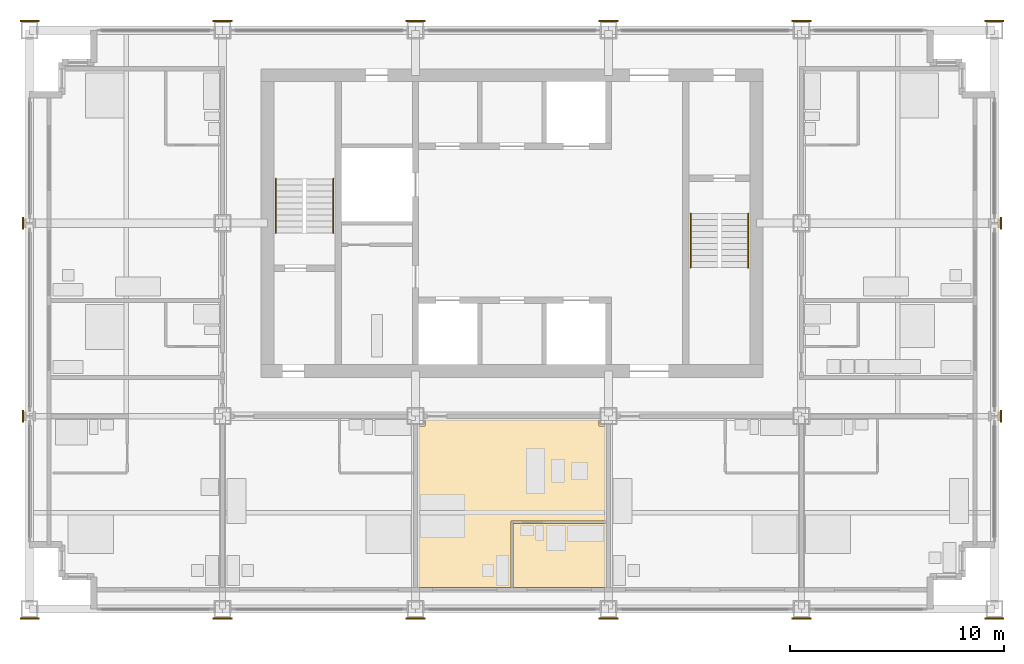
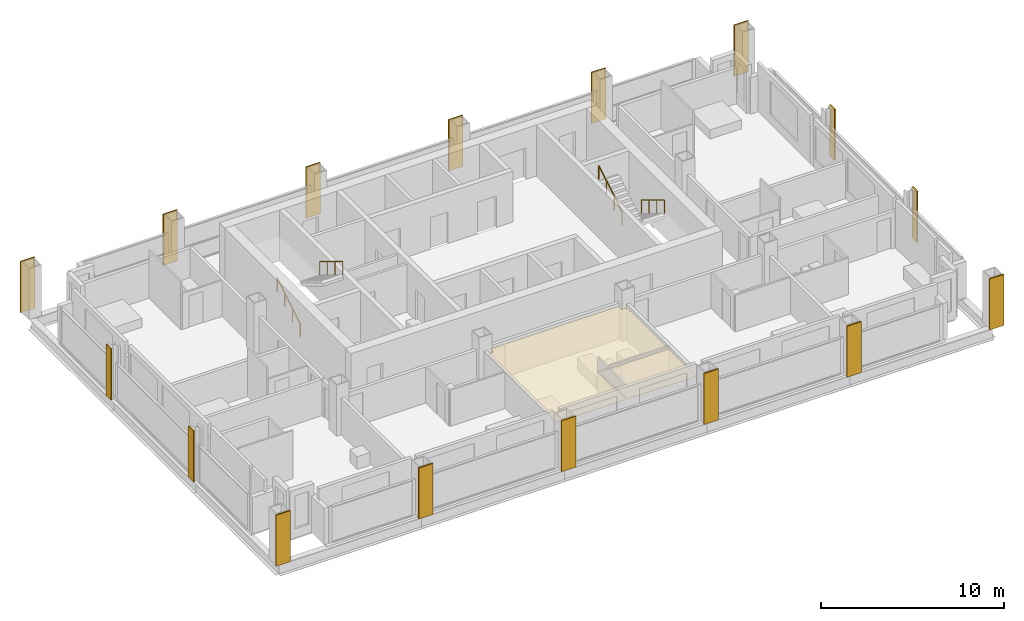
# One storey, part 11 of 13: 18 coverings, 4 railings.
"""IFC4 building model written with IfcOpenShell, lengths in metres."""

import ifcopenshell
import ifcopenshell.guid

model = None  # the IFC model being written
_history = None  # IfcOwnerHistory: only IFC2X3 demands one
_inside = {}  # id of a spatial element -> (the spatial element, [elements in it])
_under = {}  # id of a project, library or spatial element -> (it, [spatial elements below it])
_declared = {}  # id of a project -> (the project, [libraries it declares])
_typed = {}  # id of a type object -> (the type object, [elements of that type])
_made_of = {}  # id of a material, layer set ... -> (it, [elements and type objects made of it])


def new_model(schema):
    """Start an empty IFC model of exactly this schema.

    Asked for "IFC4X3", IfcOpenShell would pick the latest addendum, in which some entities
    have other attributes; the version numbers below select the first issue.
    IFC2X3 requires an IfcOwnerHistory on every rooted entity: one is made here for all.
    """
    global model, _history
    if schema == "IFC4X3":
        model = ifcopenshell.file(schema_version=(4, 3, 0, 0))
    else:
        model = ifcopenshell.file(schema=schema)
    _inside.clear()
    _under.clear()
    _declared.clear()
    _typed.clear()
    _made_of.clear()
    _history = None
    if model.schema == "IFC2X3":
        org = make("IfcOrganization", Name="unknown")
        user = make(
            "IfcPersonAndOrganization",
            ThePerson=make("IfcPerson", FamilyName="unknown"),
            TheOrganization=org,
        )
        app = make(
            "IfcApplication",
            ApplicationDeveloper=org,
            Version="unknown",
            ApplicationFullName="unknown",
            ApplicationIdentifier="unknown",
        )
        _history = make(
            "IfcOwnerHistory",
            OwningUser=user,
            OwningApplication=app,
            ChangeAction="ADDED",
            CreationDate=0,
        )
    return model


def make(cls, **values):
    """One entity of the class cls with the attributes given. An attribute that is None is left unset."""
    return model.create_entity(
        cls, **{name: value for name, value in values.items() if value is not None}
    )


def rooted(cls, **values):
    """An entity with a GlobalId (a new one), such as an element, a storey or a relation."""
    return make(cls, GlobalId=ifcopenshell.guid.new(), OwnerHistory=_history, **values)


def si_unit(unit_type, name, prefix=None):
    """IfcSIUnit, for example si_unit("LENGTHUNIT", "METRE", prefix="MILLI")."""
    return make("IfcSIUnit", UnitType=unit_type, Prefix=prefix, Name=name)


def assignment(units):
    """IfcUnitAssignment: the units of a project."""
    return None if units is None else make("IfcUnitAssignment", Units=units)


def point(xyz):
    """IfcCartesianPoint."""
    return None if xyz is None else make("IfcCartesianPoint", Coordinates=xyz)


def direction(xyz):
    """IfcDirection."""
    return None if xyz is None else make("IfcDirection", DirectionRatios=xyz)


def frame(location, z_axis=None, x_axis=None):
    """IfcAxis2Placement3D, a coordinate frame: its origin and axes. An axis left out is left unset."""
    return make(
        "IfcAxis2Placement3D",
        Location=point(location),
        Axis=direction(z_axis),
        RefDirection=direction(x_axis),
    )


def frame_2d(location, x_axis=None):
    """IfcAxis2Placement2D, a coordinate frame in the plane: its origin and x axis."""
    return make(
        "IfcAxis2Placement2D", Location=point(location), RefDirection=direction(x_axis)
    )


def origin():
    """The frame at (0, 0, 0) with its axes left unset."""
    return frame((0.0, 0.0, 0.0))


def origin_2d():
    """The frame at (0, 0) in the plane with its x axis left unset."""
    return frame_2d((0.0, 0.0))


def place(relative_to, where):
    """IfcLocalPlacement: puts the frame where relative to a parent placement (None: the world)."""
    return make(
        "IfcLocalPlacement", PlacementRelTo=relative_to, RelativePlacement=where
    )


def context(
    kind, dimensions, precision=None, world=None, true_north=None, identifier=None
):
    """IfcGeometricRepresentationContext, for example the 3D "Model" context."""
    return make(
        "IfcGeometricRepresentationContext",
        ContextIdentifier=identifier,
        ContextType=kind,
        CoordinateSpaceDimension=dimensions,
        Precision=precision,
        WorldCoordinateSystem=world,
        TrueNorth=true_north,
    )


def subcontext(parent, identifier, kind, view, scale=None):
    """IfcGeometricRepresentationSubContext, for example "Body" below "Model"."""
    return make(
        "IfcGeometricRepresentationSubContext",
        ContextIdentifier=identifier,
        ContextType=kind,
        ParentContext=parent,
        TargetScale=scale,
        TargetView=view,
    )


def project(units=None, contexts=None):
    """IfcProject with its units and contexts."""
    return rooted(
        "IfcProject",
        Name="project",
        RepresentationContexts=contexts,
        UnitsInContext=assignment(units),
    )


def spatial(cls, under=None, at=None, **own):
    """A site, building, storey or space (cls), placed at a placement, below another one or the project."""
    s = rooted(cls, ObjectPlacement=at, **own)
    if under is not None:
        _under.setdefault(under.id(), (under, []))[1].append(s)
    return s


def polyline(points):
    """IfcPolyline through the points."""
    return make("IfcPolyline", Points=[point(p) for p in points])


def profile(cls, at=None, kind="AREA", **sizes):
    """A parametric profile (cls). Its sizes go by their IFC names, for example OverallWidth=200.0."""
    return make(cls, ProfileType=kind, Position=at, **sizes)


def rectangle(**sizes):
    """IfcRectangleProfileDef."""
    return profile("IfcRectangleProfileDef", **sizes)


def circle(**sizes):
    """IfcCircleProfileDef."""
    return profile("IfcCircleProfileDef", **sizes)


def outline(outer, holes=None, kind="AREA"):
    """IfcArbitraryClosedProfileDef: a profile drawn as a closed curve; with holes, ...WithVoids."""
    if holes is None:
        return make("IfcArbitraryClosedProfileDef", ProfileType=kind, OuterCurve=outer)
    return make(
        "IfcArbitraryProfileDefWithVoids",
        ProfileType=kind,
        OuterCurve=outer,
        InnerCurves=holes,
    )


def extrude(swept, where, along, depth):
    """IfcExtrudedAreaSolid: the profile swept, set in the frame where, extruded along a direction by depth."""
    return make(
        "IfcExtrudedAreaSolid",
        SweptArea=swept,
        Position=where,
        ExtrudedDirection=direction(along),
        Depth=depth,
    )


def shape(context_of_items, identifier, shape_type, items):
    """IfcShapeRepresentation: the items that make up one representation, for example the "Body"."""
    return make(
        "IfcShapeRepresentation",
        ContextOfItems=context_of_items,
        RepresentationIdentifier=identifier,
        RepresentationType=shape_type,
        Items=items,
    )


def material(Name=None, Category=None):
    """IfcMaterial."""
    return make("IfcMaterial", Name=Name, Category=Category)


def layer(
    of_material, thickness, ventilated=None, Name=None, Category=None, Priority=None
):
    """IfcMaterialLayer: one layer of a wall or slab, of a material (None: an air gap)."""
    return make(
        "IfcMaterialLayer",
        Material=of_material,
        LayerThickness=thickness,
        IsVentilated=ventilated,
        Name=Name,
        Category=Category,
        Priority=Priority,
    )


def layer_set(layers, Name=None):
    """IfcMaterialLayerSet."""
    return make("IfcMaterialLayerSet", MaterialLayers=layers, LayerSetName=Name)


def made_of(thing, what):
    """Note that an element or type object is made of a material, layer set ...; save() writes the relation."""
    if what is not None:
        _made_of.setdefault(what.id(), (what, []))[1].append(thing)
    return thing


def type_object(cls, material=None, **own):
    """A type object (cls), such as IfcWallType, which elements share."""
    return made_of(rooted(cls, **own), material)


def element(
    cls,
    number,
    at=None,
    inside=None,
    cuts=None,
    type_object=None,
    material=None,
    context=None,
    identifier="Body",
    shape_type=None,
    held_by="IfcProductDefinitionShape",
    body=None,
    shapes=None,
    **own,
):
    """One element of the class cls, such as IfcWall. Its Tag is "e" and its number.

    at: its placement. inside: the storey or other place that contains it. cuts: it is an
    opening in that element (IfcRelVoidsElement). A single representation is given by context,
    identifier, shape_type and body (its items); several are given by shapes. held_by: the class
    of the entity that holds the representations. save() writes the other relations.
    """
    e = rooted(cls, Tag="e%d" % number, ObjectPlacement=at, **own)
    if body is not None:
        shapes = [shape(context, identifier, shape_type, body)]
    if shapes is not None:
        e.Representation = make(held_by, Representations=shapes)
    if inside is not None:
        _inside.setdefault(inside.id(), (inside, []))[1].append(e)
    if cuts is not None:
        rooted(
            "IfcRelVoidsElement", RelatingBuildingElement=cuts, RelatedOpeningElement=e
        )
    if type_object is not None:
        _typed.setdefault(type_object.id(), (type_object, []))[1].append(e)
    return made_of(e, material)


def aggregate(whole, parts):
    """IfcRelAggregates: a whole, such as a stair, and the parts it consists of."""
    return rooted("IfcRelAggregates", RelatingObject=whole, RelatedObjects=parts)


def save(model, path):
    """Write the relations noted so far, then the file.

    IfcRelAggregates (storeys below a building ...), IfcRelContainedInSpatialStructure (elements
    in a storey), IfcRelDefinesByType, IfcRelAssociatesMaterial and IfcRelDeclares: one each for
    every whole, place, type object, material and project.
    """
    for whole, parts in _under.values():
        aggregate(whole, parts)
    for where, things in _inside.values():
        rooted(
            "IfcRelContainedInSpatialStructure",
            RelatedElements=things,
            RelatingStructure=where,
        )
    for kind, things in _typed.values():
        rooted("IfcRelDefinesByType", RelatedObjects=things, RelatingType=kind)
    for what, things in _made_of.values():
        rooted("IfcRelAssociatesMaterial", RelatedObjects=things, RelatingMaterial=what)
    for by, libraries in _declared.values():
        rooted("IfcRelDeclares", RelatingContext=by, RelatedDefinitions=libraries)
    model.write(path)


model = new_model("IFC4")

# Units and contexts
model_context = context("Model", 3, precision=1e-05, world=origin(), true_north=direction((0.0, 1.0)))
body_context = subcontext(model_context, "Body", "Model", "MODEL_VIEW")
ifc_project = project(units=[si_unit("LENGTHUNIT", "METRE"), si_unit("AREAUNIT", "SQUARE_METRE"), si_unit("VOLUMEUNIT", "CUBIC_METRE"), si_unit("PLANEANGLEUNIT", "RADIAN"), si_unit("MASSUNIT", "GRAM", prefix="KILO")], contexts=[model_context])

# Site, building, storey
site_placement = place(None, origin())
site = spatial("IfcSite", under=ifc_project, at=site_placement, CompositionType="ELEMENT")
building_placement = place(site_placement, origin())
building = spatial("IfcBuilding", under=site, at=building_placement, Name="Loomwork Tower", CompositionType="ELEMENT")
storey_placement = place(building_placement, frame((0.0, 0.0, 177.39990234375)))
storey = spatial("IfcBuildingStorey", under=building, at=storey_placement, Name="L48", CompositionType="ELEMENT", Elevation=177.39990234375)

# Railings
ifc_material_1 = material(Name="Stainless steel handrail", Category="steel")
railing_type = type_object("IfcRailingType", Name="Handrail 900", PredefinedType="HANDRAIL", material=ifc_material_1)
railing_1_placement = place(storey_placement, frame((11.485107421875, 17.550048828125, 0.170166015625)))
element("IfcRailing", 1, at=railing_1_placement, inside=storey, type_object=railing_type, Name="Stair A handrail flight 1 L48", PredefinedType="HANDRAIL", context=body_context, shape_type="SweptSolid", body=[
    extrude(circle(Radius=0.02392578125, at=origin_2d()), frame((0.0, 0.0, 0.8759765625), z_axis=(0.0, 0.85478489116, 0.518982456201), x_axis=(-1.0, 0.0, 0.0)), (0.0, 0.0, 1.0), 2.9482421875),
    extrude(circle(Radius=0.02099609375, at=origin_2d()), origin(), (0.0, 0.0, 1.0), 0.851806640625),
    extrude(circle(Radius=0.02099609375, at=origin_2d()), frame((0.0, 0.840087890625, 0.510009765625)), (0.0, 0.0, 1.0), 0.851806640625),
    extrude(circle(Radius=0.02099609375, at=origin_2d()), frame((0.0, 1.679931640625, 1.02001953125)), (0.0, 0.0, 1.0), 0.851806640625),
    extrude(circle(Radius=0.02099609375, at=origin_2d()), frame((0.0, 2.52001953125, 1.530029296875)), (0.0, 0.0, 1.0), 0.851806640625),
])
for number, where, name in (
    (2, (14.1650390625, 20.070068359375, 1.8701171875), "Stair A handrail flight 2 L48"),
    (3, (33.514892578125, 18.449951171875, 0.170166015625), "Stair B handrail flight 1 L48"),
):
    element("IfcRailing", number, at=place(storey_placement, frame(where)), inside=storey, type_object=railing_type, Name=name, PredefinedType="HANDRAIL", context=body_context, shape_type="SweptSolid", body=[
        extrude(circle(Radius=0.02392578125, at=origin_2d()), frame((0.0, 0.0, 0.8759765625), z_axis=(0.0, -0.85478489116, 0.518982456201), x_axis=(1.0, 0.0, 0.0)), (0.0, 0.0, 1.0), 2.9482421875),
        extrude(circle(Radius=0.02099609375, at=origin_2d()), origin(), (0.0, 0.0, 1.0), 0.851806640625),
        extrude(circle(Radius=0.02099609375, at=origin_2d()), frame((0.0, -0.840087890625, 0.510009765625)), (0.0, 0.0, 1.0), 0.851806640625),
        extrude(circle(Radius=0.02099609375, at=origin_2d()), frame((0.0, -1.679931640625, 1.02001953125)), (0.0, 0.0, 1.0), 0.851806640625),
        extrude(circle(Radius=0.02099609375, at=origin_2d()), frame((0.0, -2.52001953125, 1.530029296875)), (0.0, 0.0, 1.0), 0.851806640625),
    ])
railing_2_placement = place(storey_placement, frame((30.8349609375, 15.929931640625, 1.8701171875)))
element("IfcRailing", 4, at=railing_2_placement, inside=storey, type_object=railing_type, Name="Stair B handrail flight 2 L48", PredefinedType="HANDRAIL", context=body_context, shape_type="SweptSolid", body=[
    extrude(circle(Radius=0.02392578125, at=origin_2d()), frame((0.0, 0.0, 0.8759765625), z_axis=(0.0, 0.85478489116, 0.518982456201), x_axis=(-1.0, 0.0, 0.0)), (0.0, 0.0, 1.0), 2.9482421875),
    extrude(circle(Radius=0.02099609375, at=origin_2d()), origin(), (0.0, 0.0, 1.0), 0.851806640625),
    extrude(circle(Radius=0.02099609375, at=origin_2d()), frame((0.0, 0.840087890625, 0.510009765625)), (0.0, 0.0, 1.0), 0.851806640625),
    extrude(circle(Radius=0.02099609375, at=origin_2d()), frame((0.0, 1.679931640625, 1.02001953125)), (0.0, 0.0, 1.0), 0.851806640625),
    extrude(circle(Radius=0.02099609375, at=origin_2d()), frame((0.0, 2.52001953125, 1.530029296875)), (0.0, 0.0, 1.0), 0.851806640625),
])

# Coverings
ifc_material_2 = material(Name="Limestone", Category="masonry")
ifc_layer_1 = layer(ifc_material_2, 0.080078125)
ifc_layer_set_1 = layer_set([ifc_layer_1], Name="Limestone pier facing 80")
covering_type_1 = type_object("IfcCoveringType", Name="Limestone pier facing 80", PredefinedType="CLADDING", material=ifc_layer_set_1)
covering_1_placement = place(storey_placement, frame((0.0, -0.43994140625, 0.000244140625), z_axis=(0.0, 0.0, 1.0), x_axis=(1.0, 0.0, 0.0)))
element("IfcCovering", 5, at=covering_1_placement, inside=storey, type_object=covering_type_1, Name="Pier facing D/2 L48", PredefinedType="CLADDING", context=body_context, shape_type="SweptSolid", body=[
    extrude(rectangle(XDim=0.89990234375, YDim=0.080078125, at=origin_2d()), origin(), (0.0, 0.0, 1.0), 3.39990234375),
])
for number, where, z_axis, x_axis, name in (
    (6, (-0.314208984375, 9.0, 0.000244140625), (0.0, 0.0, 1.0), (1.0, 0.0, 0.0), "Pier facing E/2 L48"),
    (7, (-0.314208984375, 18.0, 0.000244140625), (0.0, 0.0, 1.0), (1.0, 0.0, 0.0), "Pier facing F/2 L48"),
):
    element("IfcCovering", number, at=place(storey_placement, frame(where, z_axis=z_axis, x_axis=x_axis)), inside=storey, type_object=covering_type_1, Name=name, PredefinedType="CLADDING", context=body_context, shape_type="SweptSolid", body=[
        extrude(rectangle(XDim=0.080078125, YDim=0.549560546875, at=origin_2d()), origin(), (0.0, 0.0, 1.0), 3.39990234375),
    ])
for number, where, z_axis, x_axis, name in (
    (8, (0.0, 27.43994140625, 0.000244140625), (0.0, 0.0, 1.0), (1.0, 0.0, 0.0), "Pier facing G/2 L48"),
    (9, (9.0, -0.43994140625, 0.000244140625), (0.0, 0.0, 1.0), (1.0, 0.0, 0.0), "Pier facing D/3 L48"),
    (10, (9.0, 27.43994140625, 0.000244140625), (0.0, 0.0, 1.0), (1.0, 0.0, 0.0), "Pier facing G/3 L48"),
    (11, (18.0, -0.43994140625, 0.000244140625), (0.0, 0.0, 1.0), (1.0, 0.0, 0.0), "Pier facing D/4 L48"),
    (12, (18.0, 27.43994140625, 0.000244140625), (0.0, 0.0, 1.0), (1.0, 0.0, 0.0), "Pier facing G/4 L48"),
    (13, (27.0, -0.43994140625, 0.000244140625), (0.0, 0.0, 1.0), (1.0, 0.0, 0.0), "Pier facing D/5 L48"),
    (14, (27.0, 27.43994140625, 0.000244140625), (0.0, 0.0, 1.0), (1.0, 0.0, 0.0), "Pier facing G/5 L48"),
    (15, (36.0, -0.43994140625, 0.000244140625), (0.0, 0.0, 1.0), (1.0, 0.0, 0.0), "Pier facing D/6 L48"),
    (16, (36.0, 27.43994140625, 0.000244140625), (0.0, 0.0, 1.0), (1.0, 0.0, 0.0), "Pier facing G/6 L48"),
    (17, (45.0, -0.43994140625, 0.000244140625), (0.0, 0.0, 1.0), (1.0, 0.0, 0.0), "Pier facing D/7 L48"),
):
    element("IfcCovering", number, at=place(storey_placement, frame(where, z_axis=z_axis, x_axis=x_axis)), inside=storey, type_object=covering_type_1, Name=name, PredefinedType="CLADDING", context=body_context, shape_type="SweptSolid", body=[
        extrude(rectangle(XDim=0.89990234375, YDim=0.080078125, at=origin_2d()), origin(), (0.0, 0.0, 1.0), 3.39990234375),
    ])
for number, where, z_axis, x_axis, name in (
    (18, (45.314208984375, 9.0, 0.000244140625), (0.0, 0.0, 1.0), (1.0, 0.0, 0.0), "Pier facing E/7 L48"),
    (19, (45.314208984375, 18.0, 0.000244140625), (0.0, 0.0, 1.0), (1.0, 0.0, 0.0), "Pier facing F/7 L48"),
):
    element("IfcCovering", number, at=place(storey_placement, frame(where, z_axis=z_axis, x_axis=x_axis)), inside=storey, type_object=covering_type_1, Name=name, PredefinedType="CLADDING", context=body_context, shape_type="SweptSolid", body=[
        extrude(rectangle(XDim=0.080078125, YDim=0.549560546875, at=origin_2d()), origin(), (0.0, 0.0, 1.0), 3.39990234375),
    ])
covering_2_placement = place(storey_placement, frame((45.0, 27.43994140625, 0.000244140625), z_axis=(0.0, 0.0, 1.0), x_axis=(1.0, 0.0, 0.0)))
element("IfcCovering", 20, at=covering_2_placement, inside=storey, type_object=covering_type_1, Name="Pier facing G/7 L48", PredefinedType="CLADDING", context=body_context, shape_type="SweptSolid", body=[
    extrude(rectangle(XDim=0.89990234375, YDim=0.080078125, at=origin_2d()), origin(), (0.0, 0.0, 1.0), 3.39990234375),
])
ifc_material_3 = material(Name="Mineral fibre acoustic tile on suspension grid")
ifc_layer_2 = layer(ifc_material_3, 0.02490234375)
ifc_layer_set_2 = layer_set([ifc_layer_2], Name="Suspended acoustic ceiling")
covering_type_2 = type_object("IfcCoveringType", Name="Suspended acoustic ceiling", PredefinedType="CEILING", material=ifc_layer_set_2)
covering_3_placement = place(storey_placement, frame((0.0, 0.0, 2.175048828125)))
element("IfcCovering", 21, at=covering_3_placement, inside=storey, type_object=covering_type_2, Name="Ceiling Spa bathroom L48", PredefinedType="CEILING", context=body_context, shape_type="SweptSolid", body=[
    extrude(outline(polyline([(26.89990234375, 4.0), (26.89990234375, 1.0), (22.550048828125, 1.0), (22.550048828125, 4.0), (26.89990234375, 4.0)])), origin(), (0.0, 0.0, 1.0), 0.025146484375),
])
covering_4_placement = place(storey_placement, frame((0.0, 0.0, 2.175048828125)))
element("IfcCovering", 22, at=covering_4_placement, inside=storey, type_object=covering_type_2, Name="Ceiling Spa suite L48", PredefinedType="CEILING", context=body_context, shape_type="SweptSolid", body=[
    extrude(outline(polyline([(26.550048828125, 8.89990234375), (26.550048828125, 8.550048828125), (26.89990234375, 8.550048828125), (26.89990234375, 4.10009765625), (22.449951171875, 4.10009765625), (22.449951171875, 1.0), (18.10009765625, 1.0), (18.10009765625, 8.550048828125), (18.449951171875, 8.550048828125), (18.449951171875, 8.89990234375), (26.550048828125, 8.89990234375)])), origin(), (0.0, 0.0, 1.0), 0.025146484375),
])

save(model, "model.ifc")
